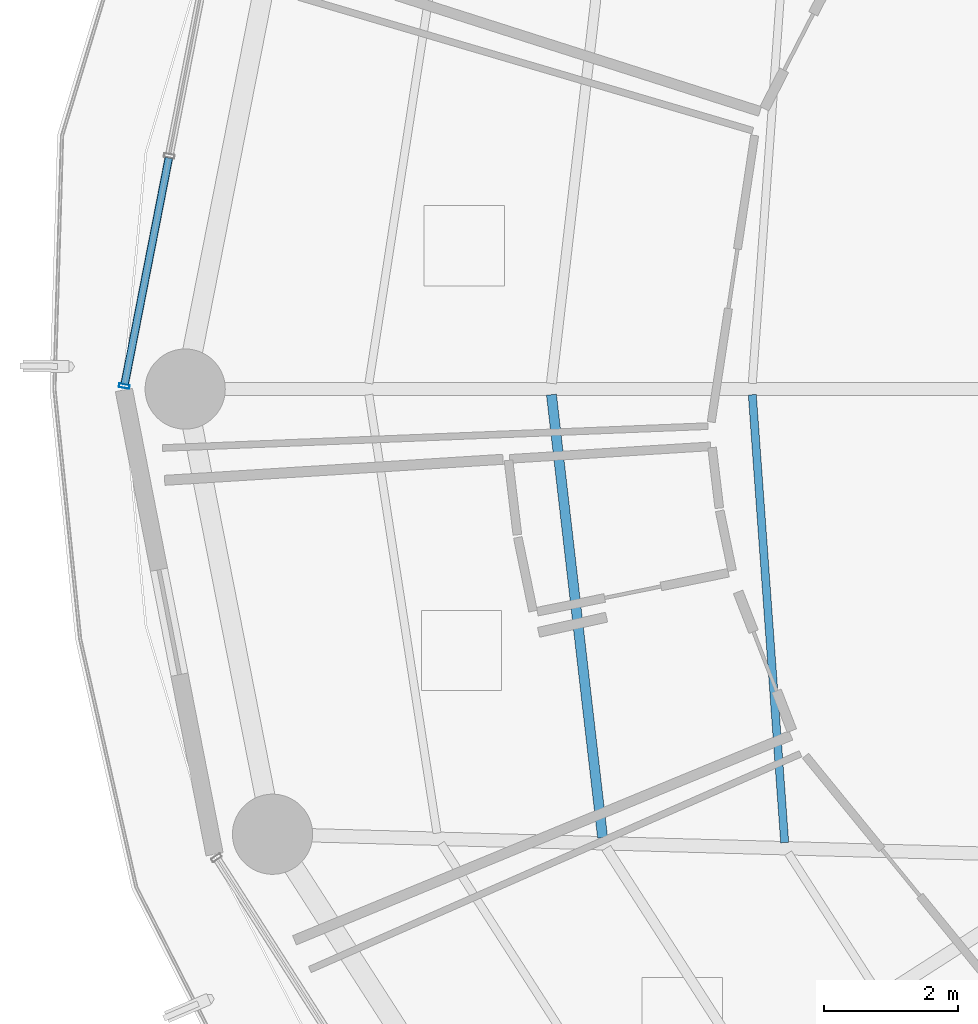
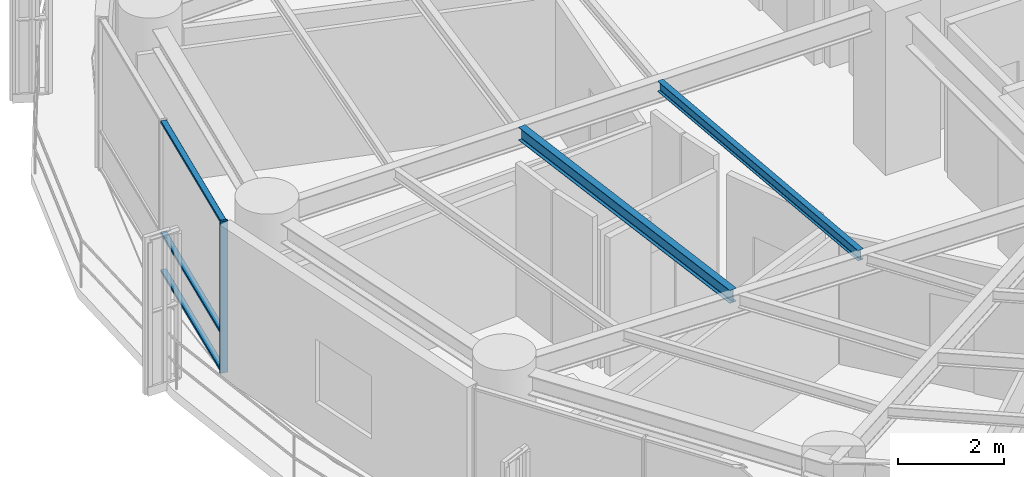
# One storey, part 6 of 27: 4 members, 2 beams, 1 element without a shape of its own.
"""IFC4 building model written with IfcOpenShell, lengths in metres."""

from ifc_helpers import new_model, si_unit, direction, frame, origin, origin_2d, place, context, subcontext, project, spatial, hollow_rectangle, i_section, extrude, material, layer, layer_set, material_profile, profile_set, type_object, element, aggregate, save


model = new_model("IFC4")

# Units and contexts
model_context = context("Model", 3, precision=1e-05, world=origin(), true_north=direction((0.0, 1.0)))
body_context = subcontext(model_context, "Body", "Model", "MODEL_VIEW")
ifc_project = project(units=[si_unit("LENGTHUNIT", "METRE"), si_unit("AREAUNIT", "SQUARE_METRE"), si_unit("VOLUMEUNIT", "CUBIC_METRE"), si_unit("PLANEANGLEUNIT", "RADIAN"), si_unit("MASSUNIT", "GRAM", prefix="KILO")], contexts=[model_context])

# Site, building, storey
site_placement = place(None, origin())
site = spatial("IfcSite", under=ifc_project, at=site_placement, CompositionType="ELEMENT")
building_placement = place(site_placement, origin())
building = spatial("IfcBuilding", under=site, at=building_placement, Name="Kelanora Arch Commons", CompositionType="ELEMENT")
storey_placement = place(building_placement, frame((0.0, 0.0, 146.85009765625)))
storey = spatial("IfcBuildingStorey", under=building, at=storey_placement, Name="L37", CompositionType="ELEMENT", Elevation=146.85009765625)

# Beams
ifc_material_1 = material(Name="Steel S355", Category="steel")
ifc_material_profile_1 = material_profile(ifc_material_1, i_section(OverallWidth=0.14990234375, OverallDepth=0.300048828125, WebThickness=0.007080078125, FlangeThickness=0.0107421875, FilletRadius=0.014892578125, at=origin_2d()), Name="IPE300")
ifc_profile_set_1 = profile_set([ifc_material_profile_1], Name="Steel S355")
beam_type_1 = type_object("IfcBeamType", Name="BM-JST-01", PredefinedType="JOIST", material=ifc_profile_set_1)
beam_1_placement = place(storey_placement, frame((57.8017578125, 57.91552734375, 3.33984375), z_axis=(0.114667159005, -0.9934039675, 0.0), x_axis=(0.9934039675, 0.114667159005, 0.0)))
element("IfcBeam", 1, at=beam_1_placement, inside=storey, type_object=beam_type_1, Name="Secondary Chord Joist BJB-18 L37", PredefinedType="JOIST", context=body_context, shape_type="SweptSolid", body=[
    extrude(i_section(OverallWidth=0.14990234375, OverallDepth=0.300048828125, WebThickness=0.007080078125, FlangeThickness=0.0107421875, FilletRadius=0.014892578125, at=origin_2d()), origin(), (0.0, 0.0, 1.0), 6.672607421875),
])
ifc_material_profile_2 = material_profile(ifc_material_1, i_section(OverallWidth=0.1201171875, OverallDepth=0.239990234375, WebThickness=0.006103515625, FlangeThickness=0.009765625, FilletRadius=0.014892578125, at=origin_2d()), Name="IPE240")
ifc_profile_set_2 = profile_set([ifc_material_profile_2], Name="Steel S355")
beam_type_2 = type_object("IfcBeamType", Name="BM-JST-02", PredefinedType="JOIST", material=ifc_profile_set_2)
beam_2_placement = place(storey_placement, frame((60.8076171875, 57.915283203125, 3.369873046875), z_axis=(0.072117123738, -0.997396170267, 0.0), x_axis=(0.997396170267, 0.072117123738, 0.0)))
element("IfcBeam", 2, at=beam_2_placement, inside=storey, type_object=beam_type_2, Name="Secondary Chord Joist BJA-18 L37", PredefinedType="JOIST", context=body_context, shape_type="SweptSolid", body=[
    extrude(i_section(OverallWidth=0.1201171875, OverallDepth=0.239990234375, WebThickness=0.006103515625, FlangeThickness=0.009765625, FilletRadius=0.014892578125, at=origin_2d()), origin(), (0.0, 0.0, 1.0), 6.719970703125),
])

# Curtain wall, members
ifc_material_2 = material(Name="Terracotta ceramic-fritted low-E glass and aluminium", Category="masonry")
ifc_layer = layer(ifc_material_2, 0.175048828125)
ifc_layer_set = layer_set([ifc_layer], Name="Terracotta ceramic-fritted low-E glass and aluminium")
curtain_wall_type = type_object("IfcCurtainWallType", Name="CW-SYS-02", PredefinedType="NOTDEFINED", material=ifc_layer_set)
curtain_wall_placement = place(storey_placement, origin())
curtain_wall = element("IfcCurtainWall", 3, at=curtain_wall_placement, inside=storey, type_object=curtain_wall_type, Name="Unitised Curtain Wall L37-B08", PredefinedType="NOTDEFINED")
ifc_material_3 = material(Name="Powder-coated aluminium terracotta", Category="masonry")
ifc_material_profile_3 = material_profile(ifc_material_3, hollow_rectangle(XDim=0.159912109375, YDim=0.06005859375, WallThickness=0.0048828125, InnerFilletRadius=0.0048828125, OuterFilletRadius=0.010009765625, at=origin_2d()), Name="CWM160x60")
ifc_profile_set_3 = profile_set([ifc_material_profile_3], Name="Powder-coated aluminium terracotta")
member_type_1 = type_object("IfcMemberType", Name="CWM-STD", PredefinedType="MULLION", material=ifc_profile_set_3)
member_1_placement = place(storey_placement, frame((51.40869140625, 58.044189453125, 0.0), z_axis=(0.0, 0.0, 1.0), x_axis=(0.981452557718, -0.191705182375, 0.0)))
member_1 = element("IfcMember", 4, at=member_1_placement, type_object=member_type_1, Name="CW-02 mullion 3", PredefinedType="MULLION", context=body_context, shape_type="SweptSolid", body=[
    extrude(hollow_rectangle(XDim=0.159912109375, YDim=0.06005859375, WallThickness=0.0048828125, InnerFilletRadius=0.0048828125, OuterFilletRadius=0.010009765625, at=origin_2d()), origin(), (0.0, 0.0, 1.0), 3.474853515625),
])
ifc_material_profile_4 = material_profile(ifc_material_3, hollow_rectangle(XDim=0.1201171875, YDim=0.06005859375, WallThickness=0.0048828125, InnerFilletRadius=0.0048828125, OuterFilletRadius=0.010009765625, at=origin_2d()), Name="CWT120x60")
ifc_profile_set_4 = profile_set([ifc_material_profile_4], Name="Powder-coated aluminium terracotta")
member_type_2 = type_object("IfcMemberType", Name="CWT-STD", PredefinedType="USERDEFINED", material=ifc_profile_set_4)
member_2_placement = place(storey_placement, frame((52.07568359375, 61.459228515625, 0.02978515625), z_axis=(-0.191718206447, -0.981450013662, 0.0), x_axis=(0.981450013662, -0.191718206447, 0.0)))
member_2 = element("IfcMember", 5, at=member_2_placement, type_object=member_type_2, Name="CW-02 transom 2.1", ObjectType="TRANSOM", PredefinedType="USERDEFINED", context=body_context, shape_type="SweptSolid", body=[
    extrude(hollow_rectangle(XDim=0.1201171875, YDim=0.06005859375, WallThickness=0.0048828125, InnerFilletRadius=0.0048828125, OuterFilletRadius=0.010009765625, at=origin_2d()), origin(), (0.0, 0.0, 1.0), 3.44970703125),
])
member_3_placement = place(storey_placement, frame((52.07568359375, 61.459228515625, 0.89990234375), z_axis=(-0.191718206447, -0.981450013662, 0.0), x_axis=(0.981450013662, -0.191718206447, 0.0)))
member_3 = element("IfcMember", 6, at=member_3_placement, type_object=member_type_2, Name="CW-02 transom 2.2", ObjectType="TRANSOM", PredefinedType="USERDEFINED", context=body_context, shape_type="SweptSolid", body=[
    extrude(hollow_rectangle(XDim=0.1201171875, YDim=0.06005859375, WallThickness=0.0048828125, InnerFilletRadius=0.0048828125, OuterFilletRadius=0.010009765625, at=origin_2d()), origin(), (0.0, 0.0, 1.0), 3.44970703125),
])
member_4_placement = place(storey_placement, frame((52.07568359375, 61.459228515625, 3.44482421875), z_axis=(-0.191718206447, -0.981450013662, 0.0), x_axis=(0.981450013662, -0.191718206447, 0.0)))
member_4 = element("IfcMember", 7, at=member_4_placement, type_object=member_type_2, Name="CW-02 transom 2.3", ObjectType="TRANSOM", PredefinedType="USERDEFINED", context=body_context, shape_type="SweptSolid", body=[
    extrude(hollow_rectangle(XDim=0.1201171875, YDim=0.06005859375, WallThickness=0.0048828125, InnerFilletRadius=0.0048828125, OuterFilletRadius=0.010009765625, at=origin_2d()), origin(), (0.0, 0.0, 1.0), 3.44970703125),
])
aggregate(curtain_wall, [member_1, member_2, member_3, member_4])

save(model, "model.ifc")
